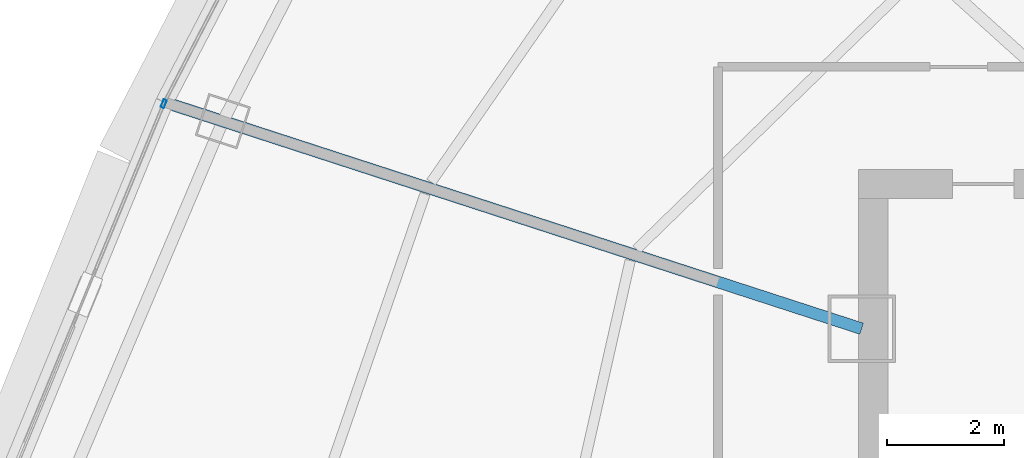
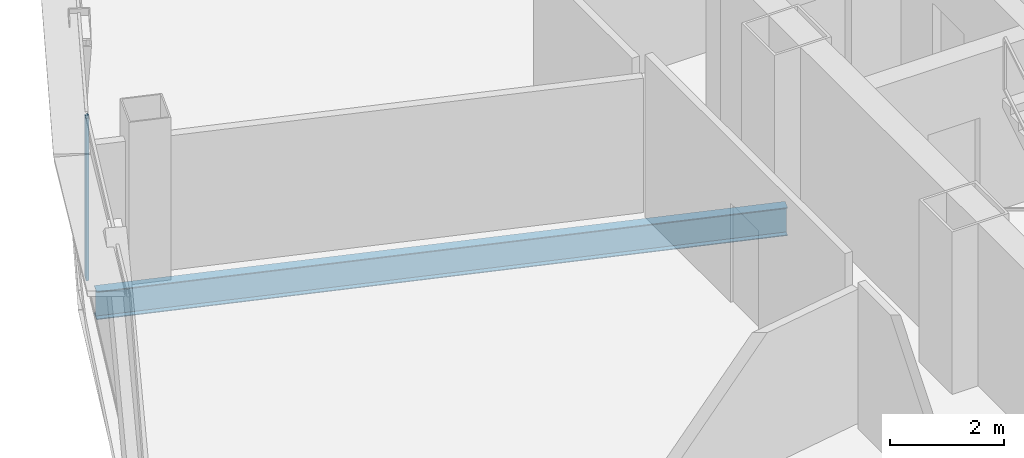
# One storey, part 8 of 33: 1 beam, 1 member, 1 element without a shape of its own.
"""IFC4 building model written with IfcOpenShell, lengths in metres."""

from ifc_helpers import new_model, si_unit, direction, frame, origin, origin_2d, place, context, subcontext, project, spatial, hollow_rectangle, i_section, extrude, source, transform, mapped, material, layer, layer_set, material_profile, profile_set, type_object, element, aggregate, save


model = new_model("IFC4")

# Units and contexts
model_context = context("Model", 3, precision=1e-05, world=origin(), true_north=direction((0.0, 1.0)))
body_context = subcontext(model_context, "Body", "Model", "MODEL_VIEW")
ifc_project = project(units=[si_unit("LENGTHUNIT", "METRE"), si_unit("AREAUNIT", "SQUARE_METRE"), si_unit("VOLUMEUNIT", "CUBIC_METRE"), si_unit("PLANEANGLEUNIT", "RADIAN"), si_unit("MASSUNIT", "GRAM", prefix="KILO"), si_unit("THERMODYNAMICTEMPERATUREUNIT", "KELVIN"), si_unit("POWERUNIT", "WATT")], contexts=[model_context])

# Site, building, storey
site_placement = place(None, origin())
site = spatial("IfcSite", under=ifc_project, at=site_placement, CompositionType="ELEMENT")
building_placement = place(site_placement, origin())
building = spatial("IfcBuilding", under=site, at=building_placement, Name="Yunzhuo Pagoda Commons", CompositionType="ELEMENT")
storey_placement = place(building_placement, frame((0.0, 0.0, 311.1298828125)))
storey = spatial("IfcBuildingStorey", under=building, at=storey_placement, Name="L78", CompositionType="ELEMENT", Elevation=311.1298828125)

# Beam
ifc_material_1 = material(Name="Structural steel Q355B", Category="steel")
ifc_material_profile_1 = material_profile(ifc_material_1, i_section(OverallWidth=0.199951171875, OverallDepth=0.60009765625, WebThickness=0.010986328125, FlangeThickness=0.01708984375, at=origin_2d()), Name="Structural steel Q355B")
ifc_profile_set_1 = profile_set([ifc_material_profile_1], Name="Structural steel Q355B")
beam_type = type_object("IfcBeamType", Name="B-RG3 Beam HN 600x200x11x17", PredefinedType="BEAM", material=ifc_profile_set_1)
shared_shape_1 = source(origin(), body_context, "Body", "SweptSolid", [
    extrude(i_section(OverallWidth=0.199951171875, OverallDepth=0.60009765625, WebThickness=0.010986328125, FlangeThickness=0.01708984375, at=origin_2d()), origin(), (0.0, 0.0, 1.0), 12.3583984375),
])
beam_placement = place(storey_placement, frame((23.8466796875, 41.548095703125, -0.559814453125), z_axis=(0.951052359283, -0.309029788049, 0.0), x_axis=(0.309029788049, 0.951052359283, 0.0)))
element("IfcBeam", 1, at=beam_placement, inside=storey, type_object=beam_type, Name="L78 radial floor girder F3C3", PredefinedType="BEAM", context=body_context, shape_type="MappedRepresentation", body=[
    mapped(shared_shape_1, transform((0.0, 0.0, 0.0), scale=1.0)),
])

# Curtain wall, member
ifc_material_2 = material(Name="Anodized aluminium 6063-T6", Category="aluminium")
ifc_layer = layer(ifc_material_2, 0.139892578125)
ifc_layer_set = layer_set([ifc_layer], Name="Anodized aluminium 6063-T6")
curtain_wall_type = type_object("IfcCurtainWallType", Name="CW-HI High-Zone Ribbon Curtain Wall", PredefinedType="NOTDEFINED", material=ifc_layer_set)
curtain_wall_placement = place(storey_placement, origin())
curtain_wall = element("IfcCurtainWall", 2, at=curtain_wall_placement, inside=storey, type_object=curtain_wall_type, Name="L78 curtain wall CW-L78-F3B4", PredefinedType="NOTDEFINED")
ifc_material_profile_2 = material_profile(ifc_material_2, hollow_rectangle(XDim=0.06005859375, YDim=0.139892578125, WallThickness=0.00341796875, at=origin_2d()), Name="Anodized aluminium 6063-T6")
ifc_profile_set_2 = profile_set([ifc_material_profile_2], Name="Anodized aluminium 6063-T6")
member_type = type_object("IfcMemberType", Name="CW-HI-M Mullion RHS 140x60x3.5", PredefinedType="MULLION", material=ifc_profile_set_2)
shared_shape_2 = source(origin(), body_context, "Body", "SweptSolid", [
    extrude(hollow_rectangle(XDim=0.06005859375, YDim=0.139892578125, WallThickness=0.00341796875, at=origin_2d()), origin(), (0.0, 0.0, 1.0), 3.47021484375),
])
member_placement = place(storey_placement, frame((23.6875, 41.568115234375, 0.0), z_axis=(0.0, 0.0, 1.0), x_axis=(0.924975207531, -0.380027453552, 0.0)))
member = element("IfcMember", 3, at=member_placement, type_object=member_type, Name="CW mullion 1", PredefinedType="MULLION", context=body_context, shape_type="MappedRepresentation", body=[
    mapped(shared_shape_2, transform((0.0, 0.0, 0.0), scale=1.0)),
])
aggregate(curtain_wall, [member])

save(model, "model.ifc")
